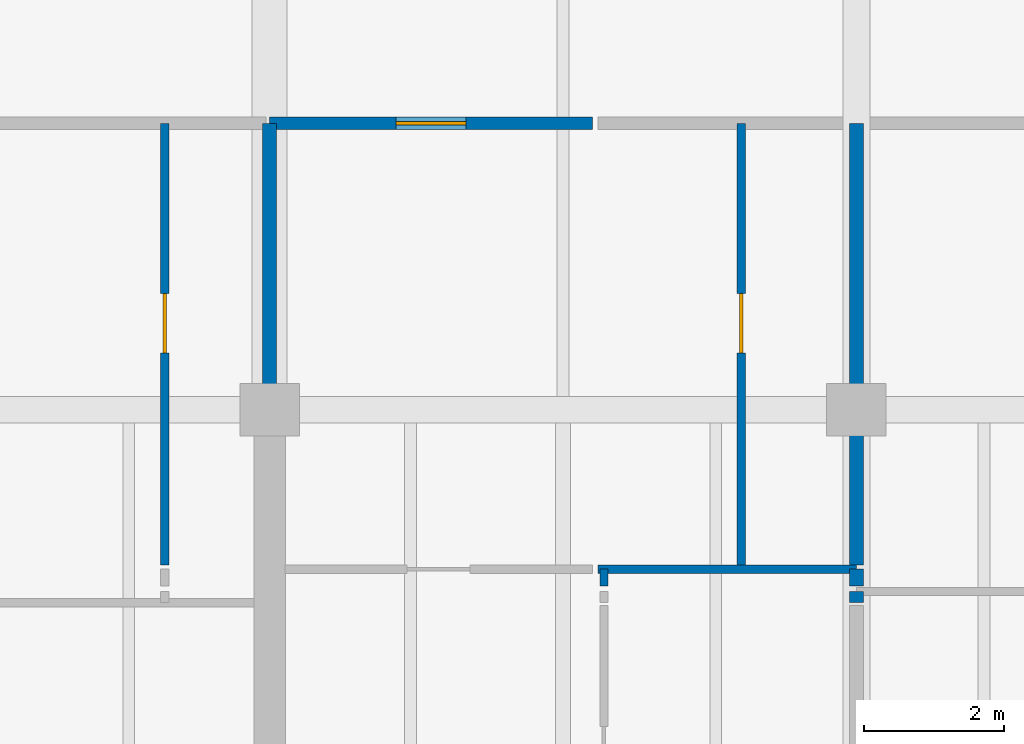
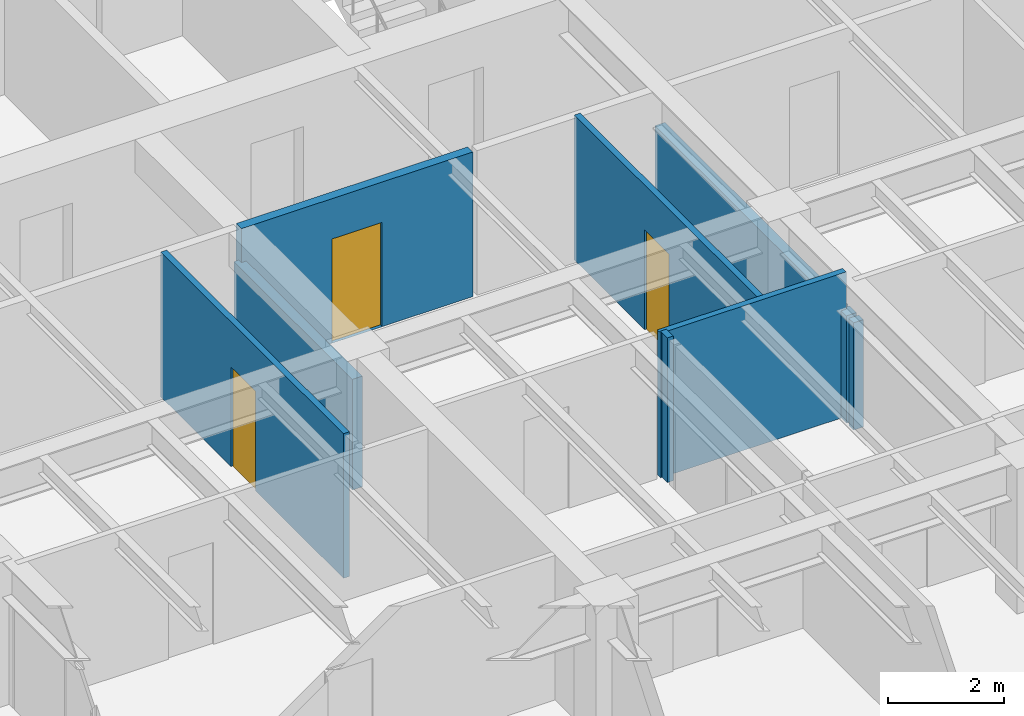
# One storey, part 9 of 19: 9 walls, 3 doors, 3 openings.
"""IFC4 building model written with IfcOpenShell, lengths in metres."""

from ifc_helpers import new_model, si_unit, direction, frame, frame_2d, origin, place, context, subcontext, project, spatial, rectangle, extrude, material, layer, layer_set, type_object, element, fill, save


model = new_model("IFC4")

# Units and contexts
model_context = context("Model", 3, precision=1e-05, world=origin(), true_north=direction((0.0, 1.0)))
body_context = subcontext(model_context, "Body", "Model", "MODEL_VIEW")
ifc_project = project(units=[si_unit("LENGTHUNIT", "METRE"), si_unit("AREAUNIT", "SQUARE_METRE"), si_unit("VOLUMEUNIT", "CUBIC_METRE"), si_unit("PLANEANGLEUNIT", "RADIAN"), si_unit("MASSUNIT", "GRAM", prefix="KILO")], contexts=[model_context])

# Site, building, storey
site_placement = place(None, origin())
site = spatial("IfcSite", under=ifc_project, at=site_placement, CompositionType="ELEMENT")
building_placement = place(site_placement, origin())
building = spatial("IfcBuilding", under=site, at=building_placement, Name="Caelmar Bay Residences", CompositionType="ELEMENT")
storey_placement = place(building_placement, frame((0.0, 0.0, 191.699951171875)))
storey = spatial("IfcBuildingStorey", under=building, at=storey_placement, Name="L53", CompositionType="ELEMENT", Elevation=191.699951171875)

# Wall, opening, door
ifc_material_1 = material(Name="Double-stud acoustic fire-rated gypsum partition 180 mm")
ifc_layer_1 = layer(ifc_material_1, 0.179931640625)
ifc_layer_set_1 = layer_set([ifc_layer_1], Name="Double-stud acoustic fire-rated gypsum partition 180 mm")
wall_type_1 = type_object("IfcWallType", Name="W-COR-200", PredefinedType="PARTITIONING", material=ifc_layer_set_1)
wall_1_placement = place(storey_placement, frame((26.699951171875, 33.5, 0.0), z_axis=(0.0, 0.0, 1.0), x_axis=(1.0, 0.0, 0.0)))
wall_1 = element("IfcWall", 1, at=wall_1_placement, inside=storey, type_object=wall_type_1, Name="L53 Partition Wall H125", PredefinedType="PARTITIONING", context=body_context, shape_type="SweptSolid", body=[
    extrude(rectangle(XDim=4.6201171875, YDim=0.179931640625, at=frame_2d((2.31005859375, 0.0))), origin(), (0.0, 0.0, 1.0), 3.050048828125),
])
opening_1_placement = place(wall_1_placement, frame((1.81005859375, 0.0, 0.0)))
opening_1 = element("IfcOpeningElement", 2, at=opening_1_placement, cuts=wall_1, Name="Opening D-L53-133", PredefinedType="OPENING", context=body_context, shape_type="SweptSolid", body=[
    extrude(rectangle(XDim=1.0, YDim=2.199951171875, at=frame_2d((0.5, 1.10009765625))), frame((0.0, 0.099853515625, 0.0), z_axis=(0.0, -1.0, 0.0), x_axis=(1.0, 0.0, 0.0)), (0.0, 0.0, 1.0), 0.199951171875),
])
ifc_material_2 = material(Name="Fire-rated steel and walnut architectural door assembly", Category="steel")
ifc_layer_2 = layer(ifc_material_2, 0.050048828125)
ifc_layer_set_2 = layer_set([ifc_layer_2], Name="Fire-rated steel and walnut architectural door assembly")
door_type_1 = type_object("IfcDoorType", Name="D-UNIT-1000", OperationType="NOTDEFINED", PredefinedType="DOOR", material=ifc_layer_set_2)
door_1_placement = place(opening_1_placement, origin())
door_1 = element("IfcDoor", 3, at=door_1_placement, inside=storey, type_object=door_type_1, Name="L53 Residence 02 Apartment Hall Door", OperationType="SINGLE_SWING_LEFT", OverallHeight=2.199951171875, OverallWidth=1.0, PredefinedType="DOOR", context=body_context, shape_type="SweptSolid", body=[
    extrude(rectangle(XDim=1.0, YDim=2.199951171875, at=frame_2d((0.5, 1.10009765625))), frame((0.0, 0.02490234375, 0.0), z_axis=(0.0, -1.0, 0.0), x_axis=(1.0, 0.0, 0.0)), (0.0, 0.0, 1.0), 0.050048828125),
])
fill(opening_1, door_1)

ifc_material_3 = material(Name="Acoustic metal-stud gypsum partition 120 mm")
ifc_layer_3 = layer(ifc_material_3, 0.1201171875)
ifc_layer_set_3 = layer_set([ifc_layer_3], Name="Acoustic metal-stud gypsum partition 120 mm")
wall_type_2 = type_object("IfcWallType", Name="W-PRT-120", PredefinedType="PARTITIONING", material=ifc_layer_set_3)
wall_2_placement = place(storey_placement, frame((25.199951171875, 27.179931640625, 0.0), z_axis=(0.0, 0.0, 1.0), x_axis=(0.0, 1.0, 0.0)))
wall_2 = element("IfcWall", 4, at=wall_2_placement, inside=storey, type_object=wall_type_2, Name="L53 Partition Wall V024", PredefinedType="PARTITIONING", context=body_context, shape_type="SweptSolid", body=[
    extrude(rectangle(XDim=6.320068359375, YDim=0.1201171875, at=frame_2d((3.16015625, 0.0))), origin(), (0.0, 0.0, 1.0), 3.050048828125),
])
opening_2_placement = place(wall_2_placement, frame((3.034912109375, 0.0, 0.0)))
opening_2 = element("IfcOpeningElement", 5, at=opening_2_placement, cuts=wall_2, Name="Opening D-L53-130", PredefinedType="OPENING", context=body_context, shape_type="SweptSolid", body=[
    extrude(rectangle(XDim=0.85009765625, YDim=2.10009765625, at=frame_2d((0.425048828125, 1.050048828125))), frame((0.0, 0.070068359375, 0.0), z_axis=(0.0, -1.0, 0.0), x_axis=(1.0, 0.0, 0.0)), (0.0, 0.0, 1.0), 0.14013671875),
])
ifc_material_4 = material(Name="Solid walnut timber interior door leaf and frame", Category="wood")
ifc_layer_4 = layer(ifc_material_4, 0.050048828125)
ifc_layer_set_4 = layer_set([ifc_layer_4], Name="Solid walnut timber interior door leaf and frame")
door_type_2 = type_object("IfcDoorType", Name="D-BATH-850", OperationType="NOTDEFINED", PredefinedType="DOOR", material=ifc_layer_set_4)
door_2_placement = place(opening_2_placement, origin())
door_2 = element("IfcDoor", 6, at=door_2_placement, inside=storey, type_object=door_type_2, Name="L53 Residence 01 En-Suite Bathroom 1 Door", OperationType="SINGLE_SWING_RIGHT", OverallHeight=2.10009765625, OverallWidth=0.85009765625, PredefinedType="DOOR", context=body_context, shape_type="SweptSolid", body=[
    extrude(rectangle(XDim=0.85009765625, YDim=2.10009765625, at=frame_2d((0.425048828125, 1.050048828125))), frame((0.0, 0.02490234375, 0.0), z_axis=(0.0, -1.0, 0.0), x_axis=(1.0, 0.0, 0.0)), (0.0, 0.0, 1.0), 0.050048828125),
])
fill(opening_2, door_2)

# Wall
wall_3_placement = place(storey_placement, frame((31.486083984375, 26.8798828125, 0.0), z_axis=(0.0, 0.0, 1.0), x_axis=(0.0, 1.0, 0.0)))
element("IfcWall", 7, at=wall_3_placement, inside=storey, type_object=wall_type_2, Name="L53 Partition Wall V038", PredefinedType="PARTITIONING", context=body_context, shape_type="SweptSolid", body=[
    extrude(rectangle(XDim=0.240234375, YDim=0.1201171875, at=frame_2d((0.1201171875, 0.0))), origin(), (0.0, 0.0, 1.0), 3.050048828125),
])

# Wall, opening, door
wall_4_placement = place(storey_placement, frame((33.449951171875, 27.179931640625, 0.0), z_axis=(0.0, 0.0, 1.0), x_axis=(0.0, 1.0, 0.0)))
wall_4 = element("IfcWall", 8, at=wall_4_placement, inside=storey, type_object=wall_type_2, Name="L53 Partition Wall V039", PredefinedType="PARTITIONING", context=body_context, shape_type="SweptSolid", body=[
    extrude(rectangle(XDim=6.320068359375, YDim=0.1201171875, at=frame_2d((3.16015625, 0.0))), origin(), (0.0, 0.0, 1.0), 3.050048828125),
])
opening_3_placement = place(wall_4_placement, frame((3.034912109375, 0.0, 0.0)))
opening_3 = element("IfcOpeningElement", 9, at=opening_3_placement, cuts=wall_4, Name="Opening D-L53-134", PredefinedType="OPENING", context=body_context, shape_type="SweptSolid", body=[
    extrude(rectangle(XDim=0.85009765625, YDim=2.10009765625, at=frame_2d((0.425048828125, 1.050048828125))), frame((0.0, 0.070068359375, 0.0), z_axis=(0.0, -1.0, 0.0), x_axis=(1.0, 0.0, 0.0)), (0.0, 0.0, 1.0), 0.14013671875),
])
door_3_placement = place(opening_3_placement, origin())
door_3 = element("IfcDoor", 10, at=door_3_placement, inside=storey, type_object=door_type_2, Name="L53 Residence 02 Bathroom Door", OperationType="SINGLE_SWING_RIGHT", OverallHeight=2.10009765625, OverallWidth=0.85009765625, PredefinedType="DOOR", context=body_context, shape_type="SweptSolid", body=[
    extrude(rectangle(XDim=0.85009765625, YDim=2.10009765625, at=frame_2d((0.425048828125, 1.050048828125))), frame((0.0, 0.02490234375, 0.0), z_axis=(0.0, -1.0, 0.0), x_axis=(1.0, 0.0, 0.0)), (0.0, 0.0, 1.0), 0.050048828125),
])
fill(opening_3, door_3)

# Walls
wall_5_placement = place(storey_placement, frame((31.39990234375, 27.1201171875, 0.0), z_axis=(0.0, 0.0, 1.0), x_axis=(1.0, 0.0, 0.0)))
element("IfcWall", 11, at=wall_5_placement, inside=storey, type_object=wall_type_2, Name="L53 Partition Wall H121", PredefinedType="PARTITIONING", context=body_context, shape_type="SweptSolid", body=[
    extrude(rectangle(XDim=3.7001953125, YDim=0.1201171875, at=frame_2d((1.85009765625, 0.0))), origin(), (0.0, 0.0, 1.0), 3.050048828125),
])
ifc_material_5 = material(Name="Acoustic twin-stud fire-rated inter-tenancy partition 200 mm")
ifc_layer_5 = layer(ifc_material_5, 0.199951171875)
ifc_layer_set_5 = layer_set([ifc_layer_5], Name="Acoustic twin-stud fire-rated inter-tenancy partition 200 mm")
wall_type_3 = type_object("IfcWallType", Name="W-PTY-200", PredefinedType="PARTITIONING", material=ifc_layer_set_5)
wall_6_placement = place(storey_placement, frame((26.699951171875, 29.405029296875, 0.0), z_axis=(0.0, 0.0, 1.0), x_axis=(0.0, 1.0, 0.0)))
element("IfcWall", 12, at=wall_6_placement, inside=storey, type_object=wall_type_3, Name="L53 Partition Wall V029", PredefinedType="PARTITIONING", context=body_context, shape_type="SweptSolid", body=[
    extrude(rectangle(XDim=4.094970703125, YDim=0.199951171875, at=frame_2d((2.04736328125, 0.0))), origin(), (0.0, 0.0, 1.0), 2.3349609375),
])
wall_7_placement = place(storey_placement, frame((35.10009765625, 26.639892578125, 0.0), z_axis=(0.0, 0.0, 1.0), x_axis=(0.0, 1.0, 0.0)))
element("IfcWall", 13, at=wall_7_placement, inside=storey, type_object=wall_type_3, Name="L53 Partition Wall V044", PredefinedType="PARTITIONING", context=body_context, shape_type="SweptSolid", body=[
    extrude(rectangle(XDim=0.16015625, YDim=0.199951171875, at=frame_2d((0.080078125, 0.0))), origin(), (0.0, 0.0, 1.0), 2.262939453125),
])
wall_8_placement = place(storey_placement, frame((35.10009765625, 26.8798828125, 0.0), z_axis=(0.0, 0.0, 1.0), x_axis=(0.0, 1.0, 0.0)))
element("IfcWall", 14, at=wall_8_placement, inside=storey, type_object=wall_type_3, Name="L53 Partition Wall V045", PredefinedType="PARTITIONING", context=body_context, shape_type="SweptSolid", body=[
    extrude(rectangle(XDim=0.240234375, YDim=0.199951171875, at=frame_2d((0.1201171875, 0.0))), origin(), (0.0, 0.0, 1.0), 2.262939453125),
])
wall_9_placement = place(storey_placement, frame((35.10009765625, 27.179931640625, 0.0), z_axis=(0.0, 0.0, 1.0), x_axis=(0.0, 1.0, 0.0)))
element("IfcWall", 15, at=wall_9_placement, inside=storey, type_object=wall_type_3, Name="L53 Partition Wall V046", PredefinedType="PARTITIONING", context=body_context, shape_type="SweptSolid", body=[
    extrude(rectangle(XDim=6.320068359375, YDim=0.199951171875, at=frame_2d((3.16015625, 0.0))), origin(), (0.0, 0.0, 1.0), 2.262939453125),
])

save(model, "model.ifc")
